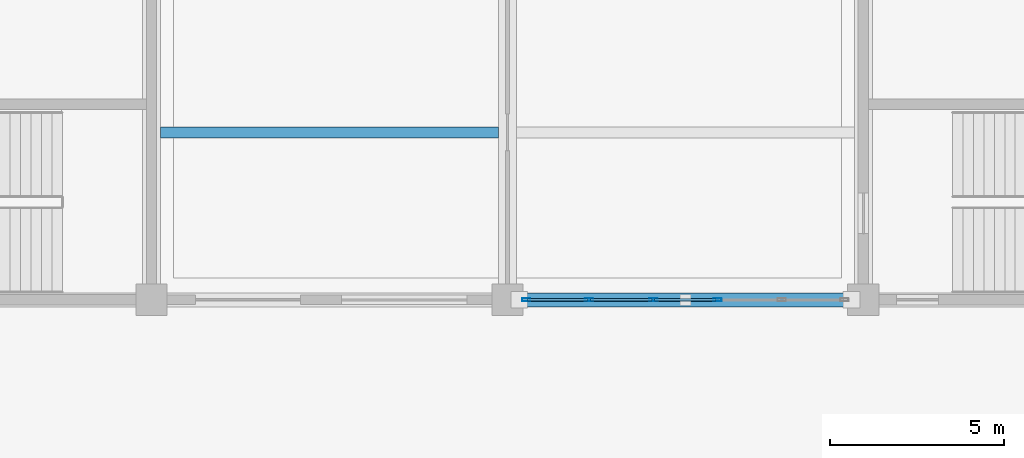
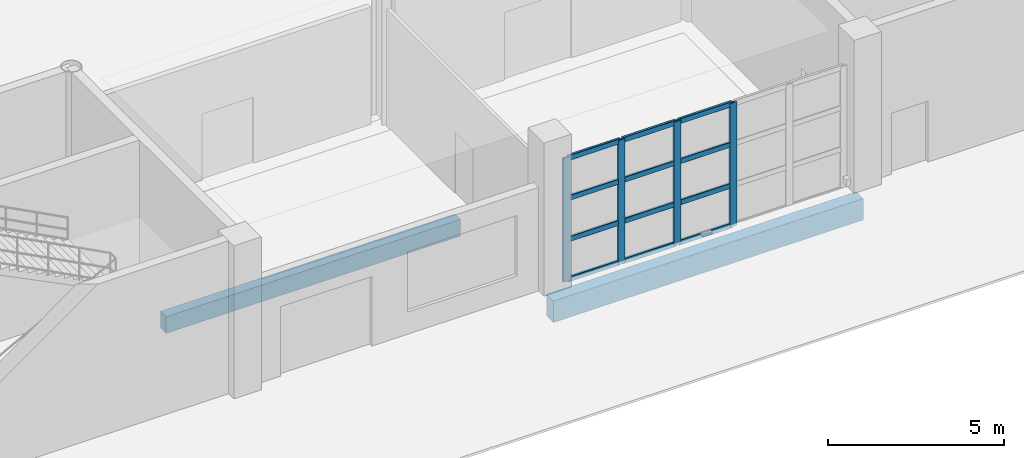
# One storey, part 30 of 124: 16 members, 2 beams, 1 element without a shape of its own.
"""IFC4 building model written with IfcOpenShell, lengths in metres."""

from ifc_helpers import new_model, si_unit, direction, frame, origin, origin_2d, place, context, subcontext, project, spatial, rectangle, hollow_rectangle, extrude, material, material_profile, profile_set, type_object, element, aggregate, save


model = new_model("IFC4")

# Units and contexts
model_context = context("Model", 3, precision=1e-05, world=origin(), true_north=direction((0.0, 1.0)))
body_context = subcontext(model_context, "Body", "Model", "MODEL_VIEW")
ifc_project = project(units=[si_unit("LENGTHUNIT", "METRE"), si_unit("AREAUNIT", "SQUARE_METRE"), si_unit("VOLUMEUNIT", "CUBIC_METRE"), si_unit("PLANEANGLEUNIT", "RADIAN"), si_unit("MASSUNIT", "GRAM", prefix="KILO")], contexts=[model_context])

# Site, building, storey
site_placement = place(None, origin())
site = spatial("IfcSite", under=ifc_project, at=site_placement, CompositionType="ELEMENT")
building_placement = place(site_placement, origin())
building = spatial("IfcBuilding", under=site, at=building_placement, Name="Brelvane Convention Centre", CompositionType="ELEMENT")
storey_placement = place(building_placement, origin())
storey = spatial("IfcBuildingStorey", under=building, at=storey_placement, Name="L00", CompositionType="ELEMENT", Elevation=0.0)

# Curtain wall, members
ifc_material_1 = material(Name="Anodised Aluminium Alloy 6063-T6", Category="aluminium")
curtain_wall_type = type_object("IfcCurtainWallType", Name="Curtain Wall CW-CONC", PredefinedType="USERDEFINED", material=ifc_material_1)
curtain_wall_placement = place(storey_placement, origin())
curtain_wall = element("IfcCurtainWall", 1, at=curtain_wall_placement, inside=storey, type_object=curtain_wall_type, Name="Curtain Wall CW-CONC L00-V1S-08", ObjectType="UNITISED", PredefinedType="USERDEFINED")
ifc_material_2 = material(Name="Anodised Aluminium Alloy 6063-T6", Category="aluminium")
ifc_material_profile_1 = material_profile(ifc_material_2, hollow_rectangle(XDim=0.080078125, YDim=0.239990234375, WallThickness=0.006103515625, InnerFilletRadius=0.006103515625, OuterFilletRadius=0.011962890625, at=origin_2d()), Name="ALU-M 240x80x6.0")
ifc_profile_set_1 = profile_set([ifc_material_profile_1], Name="Anodised Aluminium Alloy 6063-T6")
member_type_1 = type_object("IfcMemberType", Name="Curtain Mullion CW-M1", PredefinedType="MULLION", material=ifc_profile_set_1)
member_1_placement = place(storey_placement, frame((71.93994140625, 19.199951171875, 0.0), z_axis=(0.0, 0.0, 1.0), x_axis=(0.0, 1.0, 0.0)))
member_1 = element("IfcMember", 2, at=member_1_placement, type_object=member_type_1, Name="CW-CONC mullion 1", PredefinedType="MULLION", context=body_context, shape_type="SweptSolid", body=[
    extrude(hollow_rectangle(XDim=0.080078125, YDim=0.239990234375, WallThickness=0.006103515625, InnerFilletRadius=0.006103515625, OuterFilletRadius=0.011962890625, at=origin_2d()), origin(), (0.0, 0.0, 1.0), 4.300048828125),
])
member_2_placement = place(storey_placement, frame((73.739990234375, 19.199951171875, 0.0), z_axis=(0.0, 0.0, 1.0), x_axis=(0.0, 1.0, 0.0)))
member_2 = element("IfcMember", 3, at=member_2_placement, type_object=member_type_1, Name="CW-CONC mullion 2", PredefinedType="MULLION", context=body_context, shape_type="SweptSolid", body=[
    extrude(hollow_rectangle(XDim=0.080078125, YDim=0.239990234375, WallThickness=0.006103515625, InnerFilletRadius=0.006103515625, OuterFilletRadius=0.011962890625, at=origin_2d()), origin(), (0.0, 0.0, 1.0), 4.300048828125),
])
member_3_placement = place(storey_placement, frame((75.580078125, 19.199951171875, 0.0), z_axis=(0.0, 0.0, 1.0), x_axis=(0.0, 1.0, 0.0)))
member_3 = element("IfcMember", 4, at=member_3_placement, type_object=member_type_1, Name="CW-CONC mullion 3", PredefinedType="MULLION", context=body_context, shape_type="SweptSolid", body=[
    extrude(hollow_rectangle(XDim=0.080078125, YDim=0.239990234375, WallThickness=0.006103515625, InnerFilletRadius=0.006103515625, OuterFilletRadius=0.011962890625, at=origin_2d()), origin(), (0.0, 0.0, 1.0), 4.300048828125),
])
member_4_placement = place(storey_placement, frame((77.419921875, 19.199951171875, 0.0), z_axis=(0.0, 0.0, 1.0), x_axis=(0.0, 1.0, 0.0)))
member_4 = element("IfcMember", 5, at=member_4_placement, type_object=member_type_1, Name="CW-CONC mullion 4", PredefinedType="MULLION", context=body_context, shape_type="SweptSolid", body=[
    extrude(hollow_rectangle(XDim=0.080078125, YDim=0.239990234375, WallThickness=0.006103515625, InnerFilletRadius=0.006103515625, OuterFilletRadius=0.011962890625, at=origin_2d()), origin(), (0.0, 0.0, 1.0), 4.300048828125),
])
ifc_material_3 = material(Name="Anodised Aluminium Alloy 6063-T6", Category="aluminium")
ifc_material_profile_2 = material_profile(ifc_material_3, hollow_rectangle(XDim=0.080078125, YDim=0.179931640625, WallThickness=0.0048828125, InnerFilletRadius=0.0048828125, OuterFilletRadius=0.010009765625, at=origin_2d()), Name="ALU-T 180x80x5.0")
ifc_profile_set_2 = profile_set([ifc_material_profile_2], Name="Anodised Aluminium Alloy 6063-T6")
member_type_2 = type_object("IfcMemberType", Name="Curtain Transom CW-T1", PredefinedType="USERDEFINED", material=ifc_profile_set_2)
member_5_placement = place(storey_placement, frame((71.97998046875, 19.199951171875, 0.0400390625), z_axis=(1.0, 0.0, 0.0), x_axis=(0.0, 1.0, 0.0)))
member_5 = element("IfcMember", 6, at=member_5_placement, type_object=member_type_2, Name="CW-CONC transom 1.1", ObjectType="TRANSOM", PredefinedType="USERDEFINED", context=body_context, shape_type="SweptSolid", body=[
    extrude(hollow_rectangle(XDim=0.080078125, YDim=0.179931640625, WallThickness=0.0048828125, InnerFilletRadius=0.0048828125, OuterFilletRadius=0.010009765625, at=origin_2d()), origin(), (0.0, 0.0, 1.0), 1.719970703125),
])
member_6_placement = place(storey_placement, frame((71.97998046875, 19.199951171875, 1.433349609375), z_axis=(1.0, 0.0, 0.0), x_axis=(0.0, 1.0, 0.0)))
member_6 = element("IfcMember", 7, at=member_6_placement, type_object=member_type_2, Name="CW-CONC transom 1.2", ObjectType="TRANSOM", PredefinedType="USERDEFINED", context=body_context, shape_type="SweptSolid", body=[
    extrude(hollow_rectangle(XDim=0.080078125, YDim=0.179931640625, WallThickness=0.0048828125, InnerFilletRadius=0.0048828125, OuterFilletRadius=0.010009765625, at=origin_2d()), origin(), (0.0, 0.0, 1.0), 1.719970703125),
])
member_7_placement = place(storey_placement, frame((71.97998046875, 19.199951171875, 2.86669921875), z_axis=(1.0, 0.0, 0.0), x_axis=(0.0, 1.0, 0.0)))
member_7 = element("IfcMember", 8, at=member_7_placement, type_object=member_type_2, Name="CW-CONC transom 1.3", ObjectType="TRANSOM", PredefinedType="USERDEFINED", context=body_context, shape_type="SweptSolid", body=[
    extrude(hollow_rectangle(XDim=0.080078125, YDim=0.179931640625, WallThickness=0.0048828125, InnerFilletRadius=0.0048828125, OuterFilletRadius=0.010009765625, at=origin_2d()), origin(), (0.0, 0.0, 1.0), 1.719970703125),
])
member_8_placement = place(storey_placement, frame((71.97998046875, 19.199951171875, 4.260009765625), z_axis=(1.0, 0.0, 0.0), x_axis=(0.0, 1.0, 0.0)))
member_8 = element("IfcMember", 9, at=member_8_placement, type_object=member_type_2, Name="CW-CONC transom 1.4", ObjectType="TRANSOM", PredefinedType="USERDEFINED", context=body_context, shape_type="SweptSolid", body=[
    extrude(hollow_rectangle(XDim=0.080078125, YDim=0.179931640625, WallThickness=0.0048828125, InnerFilletRadius=0.0048828125, OuterFilletRadius=0.010009765625, at=origin_2d()), origin(), (0.0, 0.0, 1.0), 1.719970703125),
])
member_9_placement = place(storey_placement, frame((73.780029296875, 19.199951171875, 0.0400390625), z_axis=(1.0, 0.0, 0.0), x_axis=(0.0, 1.0, 0.0)))
member_9 = element("IfcMember", 10, at=member_9_placement, type_object=member_type_2, Name="CW-CONC transom 2.1", ObjectType="TRANSOM", PredefinedType="USERDEFINED", context=body_context, shape_type="SweptSolid", body=[
    extrude(hollow_rectangle(XDim=0.080078125, YDim=0.179931640625, WallThickness=0.0048828125, InnerFilletRadius=0.0048828125, OuterFilletRadius=0.010009765625, at=origin_2d()), origin(), (0.0, 0.0, 1.0), 1.760009765625),
])
member_10_placement = place(storey_placement, frame((73.780029296875, 19.199951171875, 1.433349609375), z_axis=(1.0, 0.0, 0.0), x_axis=(0.0, 1.0, 0.0)))
member_10 = element("IfcMember", 11, at=member_10_placement, type_object=member_type_2, Name="CW-CONC transom 2.2", ObjectType="TRANSOM", PredefinedType="USERDEFINED", context=body_context, shape_type="SweptSolid", body=[
    extrude(hollow_rectangle(XDim=0.080078125, YDim=0.179931640625, WallThickness=0.0048828125, InnerFilletRadius=0.0048828125, OuterFilletRadius=0.010009765625, at=origin_2d()), origin(), (0.0, 0.0, 1.0), 1.760009765625),
])
member_11_placement = place(storey_placement, frame((73.780029296875, 19.199951171875, 2.86669921875), z_axis=(1.0, 0.0, 0.0), x_axis=(0.0, 1.0, 0.0)))
member_11 = element("IfcMember", 12, at=member_11_placement, type_object=member_type_2, Name="CW-CONC transom 2.3", ObjectType="TRANSOM", PredefinedType="USERDEFINED", context=body_context, shape_type="SweptSolid", body=[
    extrude(hollow_rectangle(XDim=0.080078125, YDim=0.179931640625, WallThickness=0.0048828125, InnerFilletRadius=0.0048828125, OuterFilletRadius=0.010009765625, at=origin_2d()), origin(), (0.0, 0.0, 1.0), 1.760009765625),
])
member_12_placement = place(storey_placement, frame((73.780029296875, 19.199951171875, 4.260009765625), z_axis=(1.0, 0.0, 0.0), x_axis=(0.0, 1.0, 0.0)))
member_12 = element("IfcMember", 13, at=member_12_placement, type_object=member_type_2, Name="CW-CONC transom 2.4", ObjectType="TRANSOM", PredefinedType="USERDEFINED", context=body_context, shape_type="SweptSolid", body=[
    extrude(hollow_rectangle(XDim=0.080078125, YDim=0.179931640625, WallThickness=0.0048828125, InnerFilletRadius=0.0048828125, OuterFilletRadius=0.010009765625, at=origin_2d()), origin(), (0.0, 0.0, 1.0), 1.760009765625),
])
member_13_placement = place(storey_placement, frame((75.6201171875, 19.199951171875, 0.0400390625), z_axis=(1.0, 0.0, 0.0), x_axis=(0.0, 1.0, 0.0)))
member_13 = element("IfcMember", 14, at=member_13_placement, type_object=member_type_2, Name="CW-CONC transom 3.1", ObjectType="TRANSOM", PredefinedType="USERDEFINED", context=body_context, shape_type="SweptSolid", body=[
    extrude(hollow_rectangle(XDim=0.080078125, YDim=0.179931640625, WallThickness=0.0048828125, InnerFilletRadius=0.0048828125, OuterFilletRadius=0.010009765625, at=origin_2d()), origin(), (0.0, 0.0, 1.0), 1.759765625),
])
member_14_placement = place(storey_placement, frame((75.6201171875, 19.199951171875, 1.433349609375), z_axis=(1.0, 0.0, 0.0), x_axis=(0.0, 1.0, 0.0)))
member_14 = element("IfcMember", 15, at=member_14_placement, type_object=member_type_2, Name="CW-CONC transom 3.2", ObjectType="TRANSOM", PredefinedType="USERDEFINED", context=body_context, shape_type="SweptSolid", body=[
    extrude(hollow_rectangle(XDim=0.080078125, YDim=0.179931640625, WallThickness=0.0048828125, InnerFilletRadius=0.0048828125, OuterFilletRadius=0.010009765625, at=origin_2d()), origin(), (0.0, 0.0, 1.0), 1.759765625),
])
member_15_placement = place(storey_placement, frame((75.6201171875, 19.199951171875, 2.86669921875), z_axis=(1.0, 0.0, 0.0), x_axis=(0.0, 1.0, 0.0)))
member_15 = element("IfcMember", 16, at=member_15_placement, type_object=member_type_2, Name="CW-CONC transom 3.3", ObjectType="TRANSOM", PredefinedType="USERDEFINED", context=body_context, shape_type="SweptSolid", body=[
    extrude(hollow_rectangle(XDim=0.080078125, YDim=0.179931640625, WallThickness=0.0048828125, InnerFilletRadius=0.0048828125, OuterFilletRadius=0.010009765625, at=origin_2d()), origin(), (0.0, 0.0, 1.0), 1.759765625),
])
member_16_placement = place(storey_placement, frame((75.6201171875, 19.199951171875, 4.260009765625), z_axis=(1.0, 0.0, 0.0), x_axis=(0.0, 1.0, 0.0)))
member_16 = element("IfcMember", 17, at=member_16_placement, type_object=member_type_2, Name="CW-CONC transom 3.4", ObjectType="TRANSOM", PredefinedType="USERDEFINED", context=body_context, shape_type="SweptSolid", body=[
    extrude(hollow_rectangle(XDim=0.080078125, YDim=0.179931640625, WallThickness=0.0048828125, InnerFilletRadius=0.0048828125, OuterFilletRadius=0.010009765625, at=origin_2d()), origin(), (0.0, 0.0, 1.0), 1.759765625),
])
aggregate(curtain_wall, [member_1, member_2, member_3, member_4, member_5, member_6, member_7, member_8, member_9, member_10, member_11, member_12, member_13, member_14, member_15, member_16])

# Beams
ifc_material_4 = material(Name="Concrete M40", Category="concrete")
ifc_material_profile_3 = material_profile(ifc_material_4, rectangle(XDim=0.320068359375, YDim=0.580078125, at=origin_2d()), Name="RC 320x580")
ifc_profile_set_3 = profile_set([ifc_material_profile_3], Name="Concrete M40")
beam_type_1 = type_object("IfcBeamType", Name="RC Joist J-RC3 (RC 320x580)", PredefinedType="JOIST", material=ifc_profile_set_3)
beam_1_placement = place(storey_placement, frame((61.4599609375, 24.0, -0.68994140625), z_axis=(1.0, 0.0, 0.0), x_axis=(0.0, 1.0, 0.0)))
element("IfcBeam", 18, at=beam_1_placement, inside=storey, type_object=beam_type_1, Name="L00 Secondary Joist 7-8/CD", PredefinedType="JOIST", context=body_context, shape_type="SweptSolid", body=[
    extrude(rectangle(XDim=0.320068359375, YDim=0.580078125, at=origin_2d()), origin(), (0.0, 0.0, 1.0), 9.679931640625),
])
ifc_material_5 = material(Name="Concrete M40", Category="concrete")
ifc_material_profile_4 = material_profile(ifc_material_5, rectangle(XDim=0.39990234375, YDim=0.75, at=origin_2d()), Name="RC 400x750")
ifc_profile_set_4 = profile_set([ifc_material_profile_4], Name="Concrete M40")
beam_type_2 = type_object("IfcBeamType", Name="RC Spandrel SP-RC1 (RC 400x750)", PredefinedType="SPANDREL", material=ifc_profile_set_4)
beam_2_placement = place(storey_placement, frame((71.39990234375, 19.199951171875, -0.77490234375), z_axis=(1.0, 0.0, 0.0), x_axis=(0.0, 1.0, 0.0)))
element("IfcBeam", 19, at=beam_2_placement, inside=storey, type_object=beam_type_2, Name="L00 Beam 8-9/C", PredefinedType="SPANDREL", context=body_context, shape_type="SweptSolid", body=[
    extrude(rectangle(XDim=0.39990234375, YDim=0.75, at=origin_2d()), origin(), (0.0, 0.0, 1.0), 10.2001953125),
])

save(model, "model.ifc")
